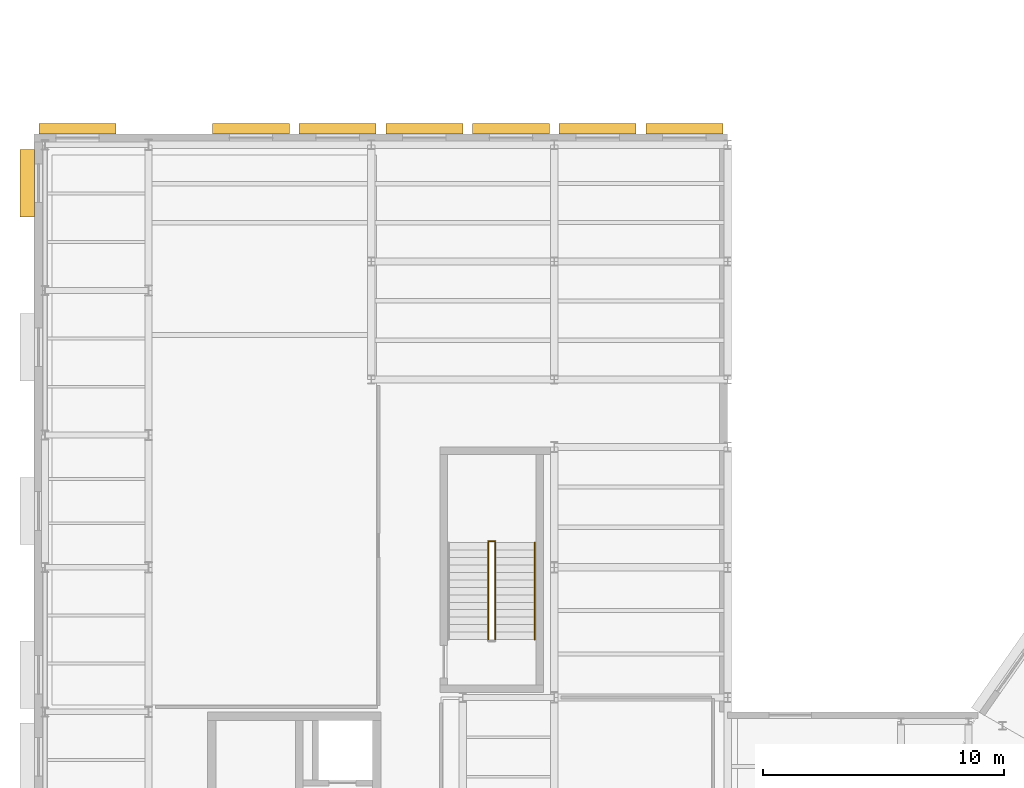
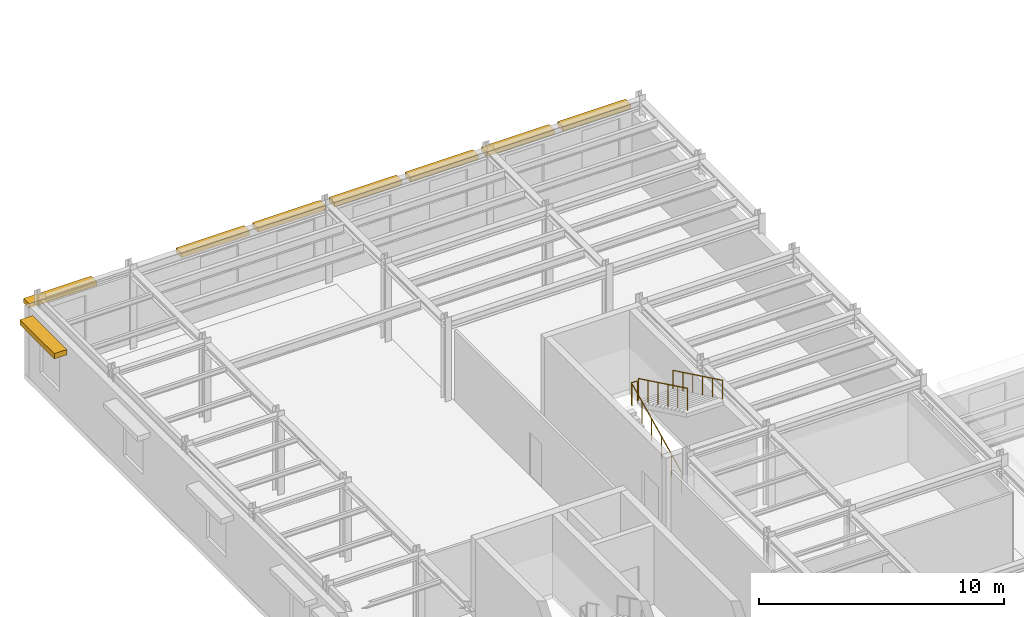
# One storey, part 73 of 75: 8 shading devices, 4 railings, 1 element without a shape of its own.
"""IFC4 building model written with IfcOpenShell, lengths in metres."""

from ifc_helpers import new_model, si_unit, direction, frame, origin, origin_2d, place, context, subcontext, project, spatial, rectangle, circle, extrude, material, type_object, element, aggregate, save


model = new_model("IFC4")

# Units and contexts
model_context = context("Model", 3, precision=1e-05, world=origin(), true_north=direction((0.0, 1.0)))
body_context = subcontext(model_context, "Body", "Model", "MODEL_VIEW")
ifc_project = project(units=[si_unit("LENGTHUNIT", "METRE"), si_unit("AREAUNIT", "SQUARE_METRE"), si_unit("VOLUMEUNIT", "CUBIC_METRE"), si_unit("PLANEANGLEUNIT", "RADIAN"), si_unit("MASSUNIT", "GRAM", prefix="KILO")], contexts=[model_context])

# Site, building, storey
site_placement = place(None, origin())
site = spatial("IfcSite", under=ifc_project, at=site_placement, CompositionType="ELEMENT")
building_placement = place(site_placement, origin())
building = spatial("IfcBuilding", under=site, at=building_placement, Name="Kolvaren Corner Interchange", CompositionType="ELEMENT")
storey_placement = place(building_placement, frame((0.0, 0.0, 10.5)))
storey = spatial("IfcBuildingStorey", under=building, at=storey_placement, Name="L03", CompositionType="ELEMENT", Elevation=10.5)

# Stair, railings
ifc_material_1 = material(Name="Concrete C35/45", Category="concrete")
stair_type = type_object("IfcStairType", Name="ST-OP-1750", PredefinedType="HALF_TURN_STAIR", material=ifc_material_1)
stair_placement = place(storey_placement, origin())
stair = element("IfcStair", 1, at=stair_placement, inside=storey, type_object=stair_type, Name="Operations North Wing Protected Exit Stair L03 to L04 Stair", PredefinedType="HALF_TURN_STAIR")
ifc_material_2 = material(Name="Powder-Coated Steel Stairwell Guardrail", Category="steel")
railing_type_1 = type_object("IfcRailingType", Name="RLT-STAIR-GRD1120", PredefinedType="GUARDRAIL", material=ifc_material_2)
railing_1_placement = place(storey_placement, frame((18.85009765625, 63.0, 0.14990234375)))
railing_1 = element("IfcRailing", 2, at=railing_1_placement, type_object=railing_type_1, Name="Operations North Wing Protected Exit Stair L03 Lower Flight Well Guardrail", PredefinedType="GUARDRAIL", context=body_context, shape_type="SweptSolid", body=[
    extrude(circle(Radius=0.02392578125, at=origin_2d()), frame((0.0, 0.0, 1.09619140625), z_axis=(0.0, 0.900143388088, 0.435593710792), x_axis=(-1.0, 0.0, 0.0)), (0.0, 0.0, 1.0), 4.47705078125),
    extrude(circle(Radius=0.02001953125, at=origin_2d()), origin(), (0.0, 0.0, 1.0), 1.072021484375),
    extrude(circle(Radius=0.02001953125, at=origin_2d()), frame((0.0, 0.805908203125, 0.39013671875)), (0.0, 0.0, 1.0), 1.072021484375),
    extrude(circle(Radius=0.02001953125, at=origin_2d()), frame((0.0, 1.612060546875, 0.780029296875)), (0.0, 0.0, 1.0), 1.072021484375),
    extrude(circle(Radius=0.02001953125, at=origin_2d()), frame((0.0, 2.41796875, 1.170166015625)), (0.0, 0.0, 1.0), 1.072021484375),
    extrude(circle(Radius=0.02001953125, at=origin_2d()), frame((0.0, 3.22412109375, 1.56005859375)), (0.0, 0.0, 1.0), 1.072021484375),
    extrude(circle(Radius=0.02001953125, at=origin_2d()), frame((0.0, 4.030029296875, 1.9501953125)), (0.0, 0.0, 1.0), 1.072021484375),
])
railing_2_placement = place(storey_placement, frame((18.860107421875, 67.090087890625, 2.10009765625)))
railing_2 = element("IfcRailing", 3, at=railing_2_placement, type_object=railing_type_1, Name="Operations North Wing Protected Exit Stair L03 Half Landing Well Guardrail", PredefinedType="GUARDRAIL", context=body_context, shape_type="SweptSolid", body=[
    extrude(circle(Radius=0.02392578125, at=origin_2d()), frame((0.0, 0.0, 1.09619140625), z_axis=(1.0, 0.0, 0.0), x_axis=(0.0, 1.0, 0.0)), (0.0, 0.0, 1.0), 0.27978515625),
    extrude(circle(Radius=0.02001953125, at=origin_2d()), origin(), (0.0, 0.0, 1.0), 1.072021484375),
    extrude(circle(Radius=0.02001953125, at=origin_2d()), frame((0.27978515625, 0.0, 0.0)), (0.0, 0.0, 1.0), 1.072021484375),
])
railing_3_placement = place(storey_placement, frame((19.14990234375, 67.030029296875, 2.25)))
railing_3 = element("IfcRailing", 4, at=railing_3_placement, type_object=railing_type_1, Name="Operations North Wing Protected Exit Stair L03 Upper Flight Well Guardrail", PredefinedType="GUARDRAIL", context=body_context, shape_type="SweptSolid", body=[
    extrude(circle(Radius=0.02392578125, at=origin_2d()), frame((0.0, 0.0, 1.09619140625), z_axis=(0.0, -0.900164768946, 0.435549525024), x_axis=(1.0, 0.0, 0.0)), (0.0, 0.0, 1.0), 4.47705078125),
    extrude(circle(Radius=0.02001953125, at=origin_2d()), origin(), (0.0, 0.0, 1.0), 1.072021484375),
    extrude(circle(Radius=0.02001953125, at=origin_2d()), frame((0.0, -0.805908203125, 0.389892578125)), (0.0, 0.0, 1.0), 1.072021484375),
    extrude(circle(Radius=0.02001953125, at=origin_2d()), frame((0.0, -1.612060546875, 0.780029296875)), (0.0, 0.0, 1.0), 1.072021484375),
    extrude(circle(Radius=0.02001953125, at=origin_2d()), frame((0.0, -2.41796875, 1.169921875)), (0.0, 0.0, 1.0), 1.072021484375),
    extrude(circle(Radius=0.02001953125, at=origin_2d()), frame((0.0, -3.22412109375, 1.56005859375)), (0.0, 0.0, 1.0), 1.072021484375),
    extrude(circle(Radius=0.02001953125, at=origin_2d()), frame((0.0, -4.030029296875, 1.949951171875)), (0.0, 0.0, 1.0), 1.072021484375),
])
ifc_material_3 = material(Name="Brushed Stainless Steel Stair Handrail", Category="steel")
railing_type_2 = type_object("IfcRailingType", Name="RLT-STAIR-HR950", PredefinedType="HANDRAIL", material=ifc_material_3)
railing_4_placement = place(storey_placement, frame((20.7900390625, 67.030029296875, 2.25)))
railing_4 = element("IfcRailing", 5, at=railing_4_placement, type_object=railing_type_2, Name="Operations North Wing Protected Exit Stair L03 Upper Flight Wall Handrail", PredefinedType="HANDRAIL", context=body_context, shape_type="SweptSolid", body=[
    extrude(circle(Radius=0.02197265625, at=origin_2d()), frame((0.0, 0.0, 0.927978515625), z_axis=(0.0, -0.900164768946, 0.435549525024), x_axis=(1.0, 0.0, 0.0)), (0.0, 0.0, 1.0), 4.47705078125),
    extrude(circle(Radius=0.01806640625, at=origin_2d()), origin(), (0.0, 0.0, 1.0), 0.906005859375),
    extrude(circle(Radius=0.01806640625, at=origin_2d()), frame((0.0, -0.805908203125, 0.389892578125)), (0.0, 0.0, 1.0), 0.906005859375),
    extrude(circle(Radius=0.01806640625, at=origin_2d()), frame((0.0, -1.612060546875, 0.780029296875)), (0.0, 0.0, 1.0), 0.906005859375),
    extrude(circle(Radius=0.01806640625, at=origin_2d()), frame((0.0, -2.41796875, 1.169921875)), (0.0, 0.0, 1.0), 0.906005859375),
    extrude(circle(Radius=0.01806640625, at=origin_2d()), frame((0.0, -3.22412109375, 1.56005859375)), (0.0, 0.0, 1.0), 0.906005859375),
    extrude(circle(Radius=0.01806640625, at=origin_2d()), frame((0.0, -4.030029296875, 1.949951171875)), (0.0, 0.0, 1.0), 0.906005859375),
])
aggregate(stair, [railing_1, railing_2, railing_3, railing_4])

# Shading devices
ifc_material_4 = material(Name="Glazed Ochre Ceramic Baguette Solar Louvre")
shading_device_type_1 = type_object("IfcShadingDeviceType", Name="SHD-BAG-H450", PredefinedType="JALOUSIE", material=ifc_material_4)
for number, where, z_axis, x_axis, name in (
    (6, (27.0, 84.215087890625, 3.2001953125), (0.0, 0.0, 1.0), (-1.0, 0.0, 0.0), "L03 Ceramic Solar Shading 0066"),
    (7, (23.39990234375, 84.215087890625, 3.2001953125), (0.0, 0.0, 1.0), (-1.0, 0.0, 0.0), "L03 Ceramic Solar Shading 0067"),
    (8, (19.800048828125, 84.215087890625, 3.2001953125), (0.0, 0.0, 1.0), (-1.0, 0.0, 0.0), "L03 Ceramic Solar Shading 0068"),
    (9, (16.199951171875, 84.215087890625, 3.2001953125), (0.0, 0.0, 1.0), (-1.0, 0.0, 0.0), "L03 Ceramic Solar Shading 0069"),
    (10, (12.60009765625, 84.215087890625, 3.2001953125), (0.0, 0.0, 1.0), (-1.0, 0.0, 0.0), "L03 Ceramic Solar Shading 0070"),
    (11, (9.0, 84.215087890625, 3.2001953125), (0.0, 0.0, 1.0), (-1.0, 0.0, 0.0), "L03 Ceramic Solar Shading 0071"),
    (12, (1.800048828125, 84.215087890625, 3.2001953125), (0.0, 0.0, 1.0), (-1.0, 0.0, 0.0), "L03 Ceramic Solar Shading 0072"),
):
    element("IfcShadingDevice", number, at=place(storey_placement, frame(where, z_axis=z_axis, x_axis=x_axis)), inside=storey, type_object=shading_device_type_1, Name=name, PredefinedType="JALOUSIE", context=body_context, shape_type="SweptSolid", body=[
        extrude(rectangle(XDim=3.199951171875, YDim=0.449951171875, at=origin_2d()), origin(), (0.0, 0.0, 1.0), 0.219970703125),
    ])
ifc_material_5 = material(Name="Cream Ceramic Baguette Brise-Soleil")
shading_device_type_2 = type_object("IfcShadingDeviceType", Name="SHD-BAG-H600", PredefinedType="JALOUSIE", material=ifc_material_5)
shading_device_placement = place(storey_placement, frame((-0.2900390625, 81.9580078125, 3.02978515625), z_axis=(0.0, 0.0, 1.0), x_axis=(0.0, -1.0, 0.0)))
element("IfcShadingDevice", 13, at=shading_device_placement, inside=storey, type_object=shading_device_type_2, Name="L03 Ceramic Solar Shading 0073", PredefinedType="JALOUSIE", context=body_context, shape_type="SweptSolid", body=[
    extrude(rectangle(XDim=2.800048828125, YDim=0.60009765625, at=origin_2d()), origin(), (0.0, 0.0, 1.0), 0.260009765625),
])

save(model, "model.ifc")
